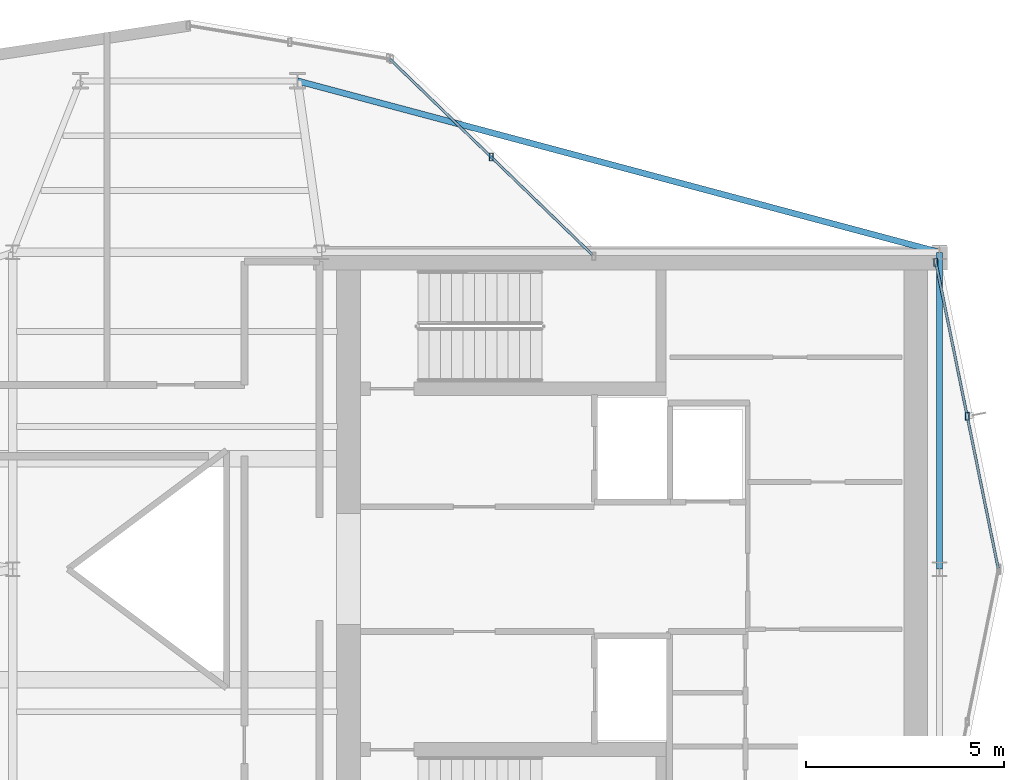
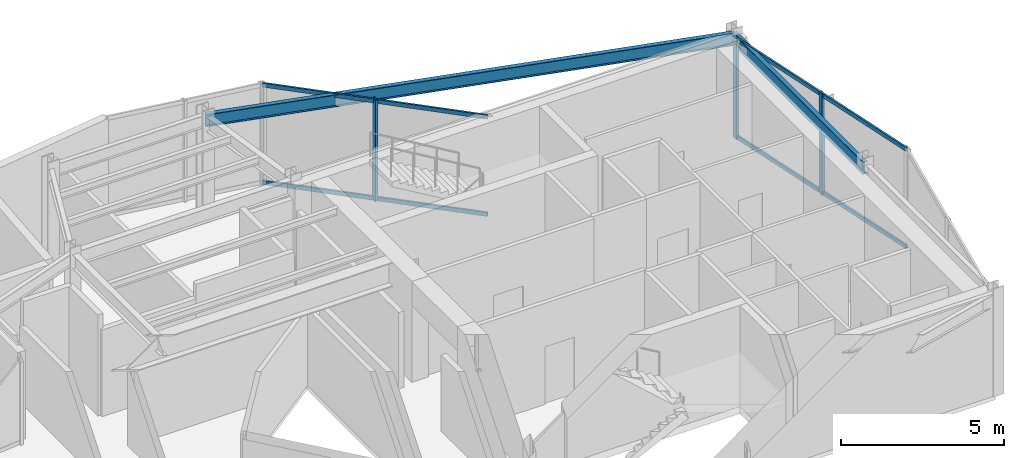
# One storey, part 9 of 16: 7 members, 2 beams, 2 elements without a shape of their own.
"""IFC4 building model written with IfcOpenShell, lengths in metres."""

import ifcopenshell
import ifcopenshell.guid

model = None  # the IFC model being written
_history = None  # IfcOwnerHistory: only IFC2X3 demands one
_inside = {}  # id of a spatial element -> (the spatial element, [elements in it])
_under = {}  # id of a project, library or spatial element -> (it, [spatial elements below it])
_declared = {}  # id of a project -> (the project, [libraries it declares])
_typed = {}  # id of a type object -> (the type object, [elements of that type])
_made_of = {}  # id of a material, layer set ... -> (it, [elements and type objects made of it])


def new_model(schema):
    """Start an empty IFC model of exactly this schema.

    Asked for "IFC4X3", IfcOpenShell would pick the latest addendum, in which some entities
    have other attributes; the version numbers below select the first issue.
    IFC2X3 requires an IfcOwnerHistory on every rooted entity: one is made here for all.
    """
    global model, _history
    if schema == "IFC4X3":
        model = ifcopenshell.file(schema_version=(4, 3, 0, 0))
    else:
        model = ifcopenshell.file(schema=schema)
    _inside.clear()
    _under.clear()
    _declared.clear()
    _typed.clear()
    _made_of.clear()
    _history = None
    if model.schema == "IFC2X3":
        org = make("IfcOrganization", Name="unknown")
        user = make(
            "IfcPersonAndOrganization",
            ThePerson=make("IfcPerson", FamilyName="unknown"),
            TheOrganization=org,
        )
        app = make(
            "IfcApplication",
            ApplicationDeveloper=org,
            Version="unknown",
            ApplicationFullName="unknown",
            ApplicationIdentifier="unknown",
        )
        _history = make(
            "IfcOwnerHistory",
            OwningUser=user,
            OwningApplication=app,
            ChangeAction="ADDED",
            CreationDate=0,
        )
    return model


def make(cls, **values):
    """One entity of the class cls with the attributes given. An attribute that is None is left unset."""
    return model.create_entity(
        cls, **{name: value for name, value in values.items() if value is not None}
    )


def rooted(cls, **values):
    """An entity with a GlobalId (a new one), such as an element, a storey or a relation."""
    return make(cls, GlobalId=ifcopenshell.guid.new(), OwnerHistory=_history, **values)


def si_unit(unit_type, name, prefix=None):
    """IfcSIUnit, for example si_unit("LENGTHUNIT", "METRE", prefix="MILLI")."""
    return make("IfcSIUnit", UnitType=unit_type, Prefix=prefix, Name=name)


def assignment(units):
    """IfcUnitAssignment: the units of a project."""
    return None if units is None else make("IfcUnitAssignment", Units=units)


def point(xyz):
    """IfcCartesianPoint."""
    return None if xyz is None else make("IfcCartesianPoint", Coordinates=xyz)


def direction(xyz):
    """IfcDirection."""
    return None if xyz is None else make("IfcDirection", DirectionRatios=xyz)


def frame(location, z_axis=None, x_axis=None):
    """IfcAxis2Placement3D, a coordinate frame: its origin and axes. An axis left out is left unset."""
    return make(
        "IfcAxis2Placement3D",
        Location=point(location),
        Axis=direction(z_axis),
        RefDirection=direction(x_axis),
    )


def frame_2d(location, x_axis=None):
    """IfcAxis2Placement2D, a coordinate frame in the plane: its origin and x axis."""
    return make(
        "IfcAxis2Placement2D", Location=point(location), RefDirection=direction(x_axis)
    )


def origin():
    """The frame at (0, 0, 0) with its axes left unset."""
    return frame((0.0, 0.0, 0.0))


def origin_2d():
    """The frame at (0, 0) in the plane with its x axis left unset."""
    return frame_2d((0.0, 0.0))


def place(relative_to, where):
    """IfcLocalPlacement: puts the frame where relative to a parent placement (None: the world)."""
    return make(
        "IfcLocalPlacement", PlacementRelTo=relative_to, RelativePlacement=where
    )


def context(
    kind, dimensions, precision=None, world=None, true_north=None, identifier=None
):
    """IfcGeometricRepresentationContext, for example the 3D "Model" context."""
    return make(
        "IfcGeometricRepresentationContext",
        ContextIdentifier=identifier,
        ContextType=kind,
        CoordinateSpaceDimension=dimensions,
        Precision=precision,
        WorldCoordinateSystem=world,
        TrueNorth=true_north,
    )


def subcontext(parent, identifier, kind, view, scale=None):
    """IfcGeometricRepresentationSubContext, for example "Body" below "Model"."""
    return make(
        "IfcGeometricRepresentationSubContext",
        ContextIdentifier=identifier,
        ContextType=kind,
        ParentContext=parent,
        TargetScale=scale,
        TargetView=view,
    )


def project(units=None, contexts=None):
    """IfcProject with its units and contexts."""
    return rooted(
        "IfcProject",
        Name="project",
        RepresentationContexts=contexts,
        UnitsInContext=assignment(units),
    )


def spatial(cls, under=None, at=None, **own):
    """A site, building, storey or space (cls), placed at a placement, below another one or the project."""
    s = rooted(cls, ObjectPlacement=at, **own)
    if under is not None:
        _under.setdefault(under.id(), (under, []))[1].append(s)
    return s


def profile(cls, at=None, kind="AREA", **sizes):
    """A parametric profile (cls). Its sizes go by their IFC names, for example OverallWidth=200.0."""
    return make(cls, ProfileType=kind, Position=at, **sizes)


def hollow_rectangle(**sizes):
    """IfcRectangleHollowProfileDef."""
    return profile("IfcRectangleHollowProfileDef", **sizes)


def i_section(**sizes):
    """IfcIShapeProfileDef."""
    return profile("IfcIShapeProfileDef", **sizes)


def extrude(swept, where, along, depth):
    """IfcExtrudedAreaSolid: the profile swept, set in the frame where, extruded along a direction by depth."""
    return make(
        "IfcExtrudedAreaSolid",
        SweptArea=swept,
        Position=where,
        ExtrudedDirection=direction(along),
        Depth=depth,
    )


def shape(context_of_items, identifier, shape_type, items):
    """IfcShapeRepresentation: the items that make up one representation, for example the "Body"."""
    return make(
        "IfcShapeRepresentation",
        ContextOfItems=context_of_items,
        RepresentationIdentifier=identifier,
        RepresentationType=shape_type,
        Items=items,
    )


def material(Name=None, Category=None):
    """IfcMaterial."""
    return make("IfcMaterial", Name=Name, Category=Category)


def layer(
    of_material, thickness, ventilated=None, Name=None, Category=None, Priority=None
):
    """IfcMaterialLayer: one layer of a wall or slab, of a material (None: an air gap)."""
    return make(
        "IfcMaterialLayer",
        Material=of_material,
        LayerThickness=thickness,
        IsVentilated=ventilated,
        Name=Name,
        Category=Category,
        Priority=Priority,
    )


def layer_set(layers, Name=None):
    """IfcMaterialLayerSet."""
    return make("IfcMaterialLayerSet", MaterialLayers=layers, LayerSetName=Name)


def material_profile(
    of_material, cross_section, Name=None, Category=None, Priority=None
):
    """IfcMaterialProfile: a cross section and its material."""
    return make(
        "IfcMaterialProfile",
        Name=Name,
        Material=of_material,
        Profile=cross_section,
        Priority=Priority,
        Category=Category,
    )


def profile_set(profiles, Name=None, composite=None):
    """IfcMaterialProfileSet."""
    return make(
        "IfcMaterialProfileSet",
        Name=Name,
        MaterialProfiles=profiles,
        CompositeProfile=composite,
    )


def made_of(thing, what):
    """Note that an element or type object is made of a material, layer set ...; save() writes the relation."""
    if what is not None:
        _made_of.setdefault(what.id(), (what, []))[1].append(thing)
    return thing


def type_object(cls, material=None, **own):
    """A type object (cls), such as IfcWallType, which elements share."""
    return made_of(rooted(cls, **own), material)


def element(
    cls,
    number,
    at=None,
    inside=None,
    cuts=None,
    type_object=None,
    material=None,
    context=None,
    identifier="Body",
    shape_type=None,
    held_by="IfcProductDefinitionShape",
    body=None,
    shapes=None,
    **own,
):
    """One element of the class cls, such as IfcWall. Its Tag is "e" and its number.

    at: its placement. inside: the storey or other place that contains it. cuts: it is an
    opening in that element (IfcRelVoidsElement). A single representation is given by context,
    identifier, shape_type and body (its items); several are given by shapes. held_by: the class
    of the entity that holds the representations. save() writes the other relations.
    """
    e = rooted(cls, Tag="e%d" % number, ObjectPlacement=at, **own)
    if body is not None:
        shapes = [shape(context, identifier, shape_type, body)]
    if shapes is not None:
        e.Representation = make(held_by, Representations=shapes)
    if inside is not None:
        _inside.setdefault(inside.id(), (inside, []))[1].append(e)
    if cuts is not None:
        rooted(
            "IfcRelVoidsElement", RelatingBuildingElement=cuts, RelatedOpeningElement=e
        )
    if type_object is not None:
        _typed.setdefault(type_object.id(), (type_object, []))[1].append(e)
    return made_of(e, material)


def aggregate(whole, parts):
    """IfcRelAggregates: a whole, such as a stair, and the parts it consists of."""
    return rooted("IfcRelAggregates", RelatingObject=whole, RelatedObjects=parts)


def save(model, path):
    """Write the relations noted so far, then the file.

    IfcRelAggregates (storeys below a building ...), IfcRelContainedInSpatialStructure (elements
    in a storey), IfcRelDefinesByType, IfcRelAssociatesMaterial and IfcRelDeclares: one each for
    every whole, place, type object, material and project.
    """
    for whole, parts in _under.values():
        aggregate(whole, parts)
    for where, things in _inside.values():
        rooted(
            "IfcRelContainedInSpatialStructure",
            RelatedElements=things,
            RelatingStructure=where,
        )
    for kind, things in _typed.values():
        rooted("IfcRelDefinesByType", RelatedObjects=things, RelatingType=kind)
    for what, things in _made_of.values():
        rooted("IfcRelAssociatesMaterial", RelatedObjects=things, RelatingMaterial=what)
    for by, libraries in _declared.values():
        rooted("IfcRelDeclares", RelatingContext=by, RelatedDefinitions=libraries)
    model.write(path)


model = new_model("IFC4")

# Units and contexts
model_context = context("Model", 3, precision=1e-05, world=origin(), true_north=direction((0.0, 1.0)))
body_context = subcontext(model_context, "Body", "Model", "MODEL_VIEW")
ifc_project = project(units=[si_unit("LENGTHUNIT", "METRE"), si_unit("AREAUNIT", "SQUARE_METRE"), si_unit("VOLUMEUNIT", "CUBIC_METRE"), si_unit("PLANEANGLEUNIT", "RADIAN"), si_unit("MASSUNIT", "GRAM", prefix="KILO")], contexts=[model_context])

# Site, building, storey
site_placement = place(None, origin())
site = spatial("IfcSite", under=ifc_project, at=site_placement, CompositionType="ELEMENT")
building_placement = place(site_placement, origin())
building = spatial("IfcBuilding", under=site, at=building_placement, Name="Veymaron Broadcast Tower", CompositionType="ELEMENT")
storey_placement = place(building_placement, frame((0.0, 0.0, 315.449951171875)))
storey = spatial("IfcBuildingStorey", under=building, at=storey_placement, Name="L74", CompositionType="ELEMENT", Elevation=315.449951171875)

# Beams
ifc_material_1 = material(Name="Structural steel ASTM A992 Gr 50", Category="steel")
ifc_material_profile_1 = material_profile(ifc_material_1, i_section(OverallWidth=0.154052734375, OverallDepth=0.458984375, WebThickness=0.009033203125, FlangeThickness=0.015380859375, at=origin_2d()), Name="W460X68")
ifc_profile_set_1 = profile_set([ifc_material_profile_1], Name="Structural steel ASTM A992 Gr 50")
beam_type = type_object("IfcBeamType", Name="BM-SP2", PredefinedType="SPANDREL", material=ifc_profile_set_1)
beam_1_placement = place(storey_placement, frame((54.60009765625, 24.0, 3.550537109375), z_axis=(0.0, 1.0, 0.0), x_axis=(-1.0, 0.0, 0.0)))
element("IfcBeam", 1, at=beam_1_placement, inside=storey, type_object=beam_type, Name="L74 primary structural floor girder", PredefinedType="SPANDREL", context=body_context, shape_type="SweptSolid", body=[
    extrude(i_section(OverallWidth=0.154052734375, OverallDepth=0.458984375, WebThickness=0.009033203125, FlangeThickness=0.015380859375, at=origin_2d()), origin(), (0.0, 0.0, 1.0), 8.0),
])
beam_2_placement = place(storey_placement, frame((54.60009765625, 32.0, 3.550537109375), z_axis=(-0.966166081306, 0.257920730718, 0.0), x_axis=(-0.257920730718, -0.966166081306, 0.0)))
element("IfcBeam", 2, at=beam_2_placement, inside=storey, type_object=beam_type, Name="L74 primary structural floor girder", PredefinedType="SPANDREL", context=body_context, shape_type="SweptSolid", body=[
    extrude(i_section(OverallWidth=0.154052734375, OverallDepth=0.458984375, WebThickness=0.009033203125, FlangeThickness=0.015380859375, at=origin_2d()), origin(), (0.0, 0.0, 1.0), 16.77978515625),
])

# Curtain wall, members
ifc_material_2 = material(Name="Anodised aluminium AA 6063-T6 and laminated low-E dark glass", Category="aluminium")
ifc_layer = layer(ifc_material_2, 0.179931640625)
ifc_layer_set = layer_set([ifc_layer], Name="Anodised aluminium AA 6063-T6 and laminated low-E dark glass")
curtain_wall_type = type_object("IfcCurtainWallType", Name="CW-SYS-07", PredefinedType="NOTDEFINED", material=ifc_layer_set)
curtain_wall_1_placement = place(storey_placement, origin())
curtain_wall_1 = element("IfcCurtainWall", 3, at=curtain_wall_1_placement, inside=storey, type_object=curtain_wall_type, Name="L74 dark-glass curtain wall CW-L74-E11-1", PredefinedType="NOTDEFINED")
ifc_material_3 = material(Name="Anodised aluminium AA 6063-T6", Category="aluminium")
ifc_material_profile_2 = material_profile(ifc_material_3, hollow_rectangle(XDim=0.10009765625, YDim=0.199951171875, WallThickness=0.010009765625, at=origin_2d()), Name="RHS200X100X10")
ifc_profile_set_2 = profile_set([ifc_material_profile_2], Name="Anodised aluminium AA 6063-T6")
member_type_1 = type_object("IfcMemberType", Name="CW-MUL-01", PredefinedType="MULLION", material=ifc_profile_set_2)
member_1_placement = place(storey_placement, frame((55.301025390625, 27.856689453125, 0.0), z_axis=(0.0, 0.0, 1.0), x_axis=(1.0, 0.0, 0.0)))
member_1 = element("IfcMember", 4, at=member_1_placement, type_object=member_type_1, Name="CW-L74-E11-1 mullion 1", PredefinedType="MULLION", context=body_context, shape_type="SweptSolid", body=[
    extrude(hollow_rectangle(XDim=0.10009765625, YDim=0.199951171875, WallThickness=0.010009765625, at=origin_2d()), origin(), (0.0, 0.0, 1.0), 3.780029296875),
])
member_2_placement = place(storey_placement, frame((54.509765625, 31.7412109375, 0.0), z_axis=(0.0, 0.0, 1.0), x_axis=(1.0, 0.0, 0.0)))
member_2 = element("IfcMember", 5, at=member_2_placement, type_object=member_type_1, Name="CW-L74-E11-1 mullion 2", PredefinedType="MULLION", context=body_context, shape_type="SweptSolid", body=[
    extrude(hollow_rectangle(XDim=0.10009765625, YDim=0.199951171875, WallThickness=0.010009765625, at=origin_2d()), origin(), (0.0, 0.0, 1.0), 3.780029296875),
])

# Curtain wall, member
curtain_wall_2_placement = place(storey_placement, origin())
curtain_wall_2 = element("IfcCurtainWall", 6, at=curtain_wall_2_placement, inside=storey, type_object=curtain_wall_type, Name="L74 dark-glass curtain wall CW-L74-E13-1", PredefinedType="NOTDEFINED")
member_3_placement = place(storey_placement, frame((43.281982421875, 34.40478515625, 0.0), z_axis=(0.0, 0.0, 1.0), x_axis=(1.0, 0.0, 0.0)))
member_3 = element("IfcMember", 7, at=member_3_placement, type_object=member_type_1, Name="CW-L74-E13-1 mullion 1", PredefinedType="MULLION", context=body_context, shape_type="SweptSolid", body=[
    extrude(hollow_rectangle(XDim=0.10009765625, YDim=0.199951171875, WallThickness=0.010009765625, at=origin_2d()), origin(), (0.0, 0.0, 1.0), 3.780029296875),
])

# Member
ifc_material_profile_3 = material_profile(ifc_material_3, hollow_rectangle(XDim=0.06494140625, YDim=0.14990234375, WallThickness=0.00390625, at=origin_2d()), Name="AL150X65X4")
ifc_profile_set_3 = profile_set([ifc_material_profile_3], Name="Anodised aluminium AA 6063-T6")
member_type_2 = type_object("IfcMemberType", Name="CW-TRN-01", PredefinedType="USERDEFINED", material=ifc_profile_set_3)
member_4_placement = place(storey_placement, frame((56.08251953125, 24.02099609375, 0.070068359375), z_axis=(-0.1996111359, 0.97987519329, 0.0), x_axis=(-0.97987519329, -0.1996111359, 0.0)))
member_4 = element("IfcMember", 8, at=member_4_placement, type_object=member_type_2, Name="CW-L74-E11-1 transom B", ObjectType="TRANSOM", PredefinedType="USERDEFINED", context=body_context, shape_type="SweptSolid", body=[
    extrude(hollow_rectangle(XDim=0.06494140625, YDim=0.14990234375, WallThickness=0.00390625, at=origin_2d()), origin(), (0.0, 0.0, 1.0), 7.828857421875),
])

member_5_placement = place(storey_placement, frame((56.08251953125, 24.02099609375, 3.7099609375), z_axis=(-0.1996111359, 0.97987519329, 0.0), x_axis=(-0.97987519329, -0.1996111359, 0.0)))
member_5 = element("IfcMember", 9, at=member_5_placement, type_object=member_type_2, Name="CW-L74-E11-1 transom T", ObjectType="TRANSOM", PredefinedType="USERDEFINED", context=body_context, shape_type="SweptSolid", body=[
    extrude(hollow_rectangle(XDim=0.06494140625, YDim=0.14990234375, WallThickness=0.00390625, at=origin_2d()), origin(), (0.0, 0.0, 1.0), 7.828857421875),
])

aggregate(curtain_wall_1, [member_1, member_2, member_4, member_5])

member_6_placement = place(storey_placement, frame((45.8388671875, 31.93408203125, 0.070068359375), z_axis=(-0.719105025557, 0.694901404674, 0.0), x_axis=(-0.694901404674, -0.719105025557, 0.0)))
member_6 = element("IfcMember", 10, at=member_6_placement, type_object=member_type_2, Name="CW-L74-E13-1 transom B", ObjectType="TRANSOM", PredefinedType="USERDEFINED", context=body_context, shape_type="SweptSolid", body=[
    extrude(hollow_rectangle(XDim=0.06494140625, YDim=0.14990234375, WallThickness=0.00390625, at=origin_2d()), origin(), (0.0, 0.0, 1.0), 7.111328125),
])

member_7_placement = place(storey_placement, frame((45.8388671875, 31.93408203125, 3.7099609375), z_axis=(-0.719105025557, 0.694901404674, 0.0), x_axis=(-0.694901404674, -0.719105025557, 0.0)))
member_7 = element("IfcMember", 11, at=member_7_placement, type_object=member_type_2, Name="CW-L74-E13-1 transom T", ObjectType="TRANSOM", PredefinedType="USERDEFINED", context=body_context, shape_type="SweptSolid", body=[
    extrude(hollow_rectangle(XDim=0.06494140625, YDim=0.14990234375, WallThickness=0.00390625, at=origin_2d()), origin(), (0.0, 0.0, 1.0), 7.111328125),
])

aggregate(curtain_wall_2, [member_3, member_6, member_7])

save(model, "model.ifc")
